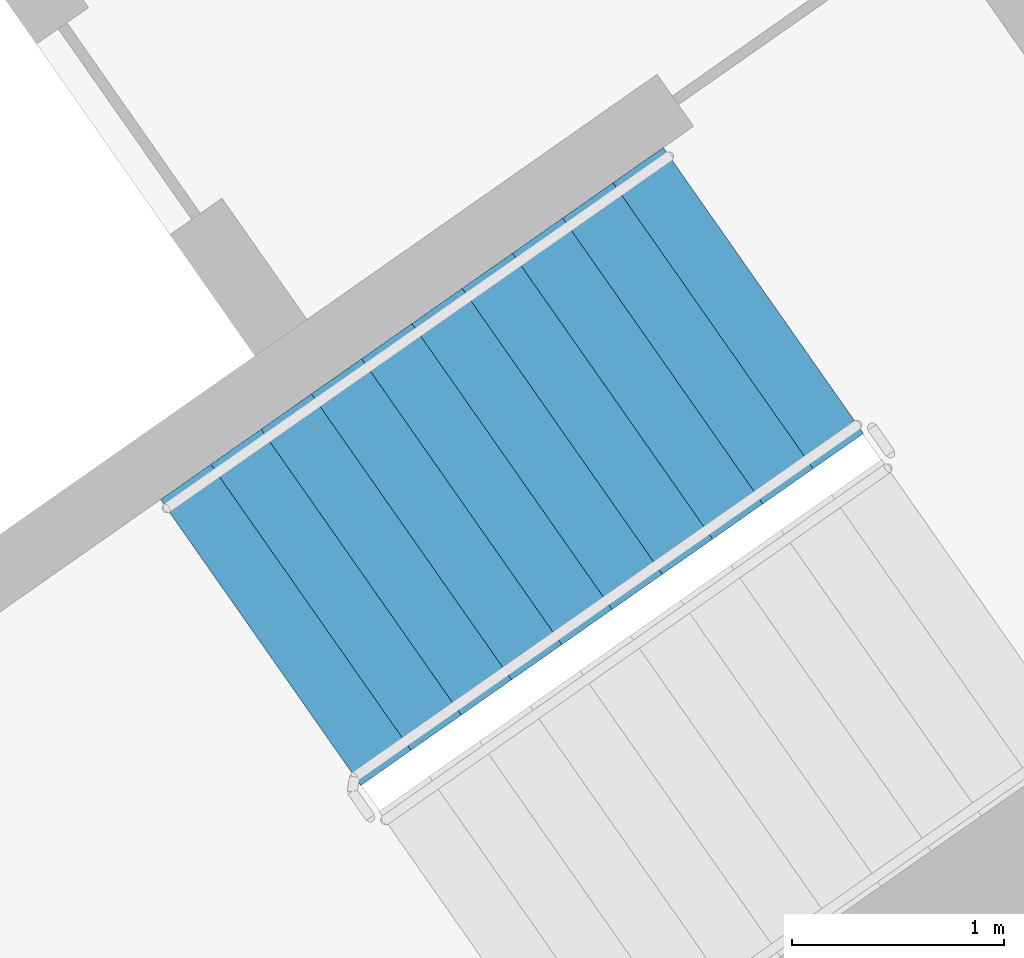
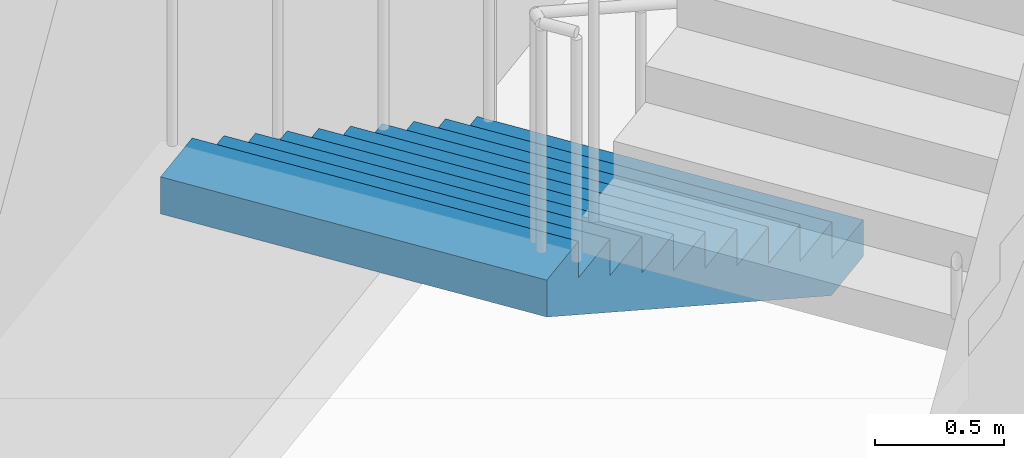
# One storey, part 13 of 26: 1 stair flight, 1 element without a shape of its own.
"""IFC4 building model written with IfcOpenShell, lengths in metres."""

from ifc_helpers import new_model, si_unit, direction, frame, origin, place, context, subcontext, project, spatial, faceted_brep, material, type_object, element, aggregate, save


model = new_model("IFC4")

# Units and contexts
model_context = context("Model", 3, precision=1e-05, world=origin(), true_north=direction((0.0, 1.0)))
body_context = subcontext(model_context, "Body", "Model", "MODEL_VIEW")
ifc_project = project(units=[si_unit("LENGTHUNIT", "METRE"), si_unit("AREAUNIT", "SQUARE_METRE"), si_unit("VOLUMEUNIT", "CUBIC_METRE"), si_unit("PLANEANGLEUNIT", "RADIAN"), si_unit("MASSUNIT", "GRAM", prefix="KILO")], contexts=[model_context])

# Site, building, storey
site_placement = place(None, origin())
site = spatial("IfcSite", under=ifc_project, at=site_placement, CompositionType="ELEMENT")
building_placement = place(site_placement, origin())
building = spatial("IfcBuilding", under=site, at=building_placement, Name="Qamariyya Broadcast Tower", CompositionType="ELEMENT")
storey_placement = place(building_placement, frame((0.0, 0.0, 168.300048828125)))
storey = spatial("IfcBuildingStorey", under=building, at=storey_placement, Name="L39", CompositionType="ELEMENT", Elevation=168.300048828125)

# Stair, stair flight
ifc_material = material(Name="Concrete C50/60", Category="concrete")
stair_type = type_object("IfcStairType", Name="Exit stair 22 risers of 173 mm", PredefinedType="HALF_TURN_STAIR", material=ifc_material)
stair_placement = place(storey_placement, origin())
stair = element("IfcStair", 1, at=stair_placement, inside=storey, type_object=stair_type, Name="L39 Stair E1", PredefinedType="HALF_TURN_STAIR")
stair_flight_type = type_object("IfcStairFlightType", Name="Exit stair flight 11 risers of 173 mm", PredefinedType="STRAIGHT", material=ifc_material)
stair_flight_placement = place(storey_placement, frame((46.036376953125, -55.508056640625, 0.0), z_axis=(0.0, 0.0, 1.0), x_axis=(-0.819152044289, -0.573576436351, 0.0)))
stair_flight = element("IfcStairFlight", 2, at=stair_flight_placement, type_object=stair_flight_type, Name="ST-E1 flight 1", NumberOfRisers=11, NumberOfTreads=10, PredefinedType="STRAIGHT", RiserHeight=0.172727273, TreadLength=0.29, context=body_context, shape_type="Brep", body=[
    faceted_brep([(0.0, 0.824951171875, 0.0), (0.0, 0.824951171875, 0.172607421875), (0.2900390625, 0.824951171875, 0.172607421875), (0.2900390625, 0.824951171875, 0.345458984375), (0.580078125, 0.824951171875, 0.345458984375), (0.580078125, 0.824951171875, 0.51806640625), (0.8701171875, 0.824951171875, 0.51806640625), (0.8701171875, 0.824951171875, 0.69091796875), (1.159912109375, 0.824951171875, 0.69091796875), (1.159912109375, 0.824951171875, 0.863525390625), (1.449951171875, 0.824951171875, 0.863525390625), (1.449951171875, 0.824951171875, 1.036376953125), (1.739990234375, 0.824951171875, 1.036376953125), (1.739990234375, 0.824951171875, 1.208984375), (2.030029296875, 0.824951171875, 1.208984375), (2.030029296875, 0.824951171875, 1.3818359375), (2.320068359375, 0.824951171875, 1.3818359375), (2.320068359375, 0.824951171875, 1.554443359375), (2.610107421875, 0.824951171875, 1.554443359375), (2.610107421875, 0.824951171875, 1.727294921875), (2.89990234375, 0.824951171875, 1.727294921875), (2.89990234375, 0.824951171875, 1.552734375), (0.29296875, 0.824951171875, 0.0), (0.29296875, -0.824951171875, 0.0), (2.89990234375, -0.824951171875, 1.552734375), (2.89990234375, -0.824951171875, 1.727294921875), (2.610107421875, -0.824951171875, 1.727294921875), (2.610107421875, -0.824951171875, 1.554443359375), (2.320068359375, -0.824951171875, 1.554443359375), (2.320068359375, -0.824951171875, 1.3818359375), (2.030029296875, -0.824951171875, 1.3818359375), (2.030029296875, -0.824951171875, 1.208984375), (1.739990234375, -0.824951171875, 1.208984375), (1.739990234375, -0.824951171875, 1.036376953125), (1.449951171875, -0.824951171875, 1.036376953125), (1.449951171875, -0.824951171875, 0.863525390625), (1.159912109375, -0.824951171875, 0.863525390625), (1.159912109375, -0.824951171875, 0.69091796875), (0.8701171875, -0.824951171875, 0.69091796875), (0.8701171875, -0.824951171875, 0.51806640625), (0.580078125, -0.824951171875, 0.51806640625), (0.580078125, -0.824951171875, 0.345458984375), (0.2900390625, -0.824951171875, 0.345458984375), (0.2900390625, -0.824951171875, 0.172607421875), (0.0, -0.824951171875, 0.172607421875), (0.0, -0.824951171875, 0.0), (0.0, 0.10009765625, 0.0), (0.0, 0.086669921875, 0.0), (0.0, 0.0732421875, 0.0), (0.0, 0.06005859375, 0.0), (0.0, 0.046630859375, 0.0), (0.0, 0.033447265625, 0.0), (0.0, 0.02001953125, 0.0), (0.0, 0.006591796875, 0.0), (0.0, -0.006591796875, 0.0), (0.0, -0.02001953125, 0.0), (0.0, -0.033447265625, 0.0), (0.0, -0.046630859375, 0.0), (0.0, -0.06005859375, 0.0), (0.0, -0.0732421875, 0.0), (0.0, -0.086669921875, 0.0), (0.0, -0.10009765625, 0.0), (0.0, -0.10009765625, 0.172607421875), (0.0, -0.086669921875, 0.172607421875), (0.0, -0.0732421875, 0.172607421875), (0.0, -0.06005859375, 0.172607421875), (0.0, -0.046630859375, 0.172607421875), (0.0, -0.033447265625, 0.172607421875), (0.0, -0.02001953125, 0.172607421875), (0.0, -0.006591796875, 0.172607421875), (0.0, 0.006591796875, 0.172607421875), (0.0, 0.02001953125, 0.172607421875), (0.0, 0.033447265625, 0.172607421875), (0.0, 0.046630859375, 0.172607421875), (0.0, 0.06005859375, 0.172607421875), (0.0, 0.0732421875, 0.172607421875), (0.0, 0.086669921875, 0.172607421875), (0.0, 0.10009765625, 0.172607421875), (0.2900390625, -0.10009765625, 0.172607421875), (0.2900390625, -0.086669921875, 0.172607421875), (0.2900390625, -0.0732421875, 0.172607421875), (0.2900390625, -0.06005859375, 0.172607421875), (0.2900390625, -0.046630859375, 0.172607421875), (0.2900390625, -0.033447265625, 0.172607421875), (0.2900390625, -0.02001953125, 0.172607421875), (0.2900390625, -0.006591796875, 0.172607421875), (0.2900390625, 0.006591796875, 0.172607421875), (0.2900390625, 0.02001953125, 0.172607421875), (0.2900390625, 0.033447265625, 0.172607421875), (0.2900390625, 0.046630859375, 0.172607421875), (0.2900390625, 0.06005859375, 0.172607421875), (0.2900390625, 0.0732421875, 0.172607421875), (0.2900390625, 0.086669921875, 0.172607421875), (0.2900390625, 0.10009765625, 0.172607421875), (0.2900390625, -0.10009765625, 0.345458984375), (0.2900390625, -0.086669921875, 0.345458984375), (0.2900390625, -0.0732421875, 0.345458984375), (0.2900390625, -0.06005859375, 0.345458984375), (0.2900390625, -0.046630859375, 0.345458984375), (0.2900390625, -0.033447265625, 0.345458984375), (0.2900390625, -0.02001953125, 0.345458984375), (0.2900390625, -0.006591796875, 0.345458984375), (0.2900390625, 0.006591796875, 0.345458984375), (0.2900390625, 0.02001953125, 0.345458984375), (0.2900390625, 0.033447265625, 0.345458984375), (0.2900390625, 0.046630859375, 0.345458984375), (0.2900390625, 0.06005859375, 0.345458984375), (0.2900390625, 0.0732421875, 0.345458984375), (0.2900390625, 0.086669921875, 0.345458984375), (0.2900390625, 0.10009765625, 0.345458984375), (0.580078125, -0.10009765625, 0.345458984375), (0.580078125, -0.086669921875, 0.345458984375), (0.580078125, -0.0732421875, 0.345458984375), (0.580078125, -0.06005859375, 0.345458984375), (0.580078125, -0.046630859375, 0.345458984375), (0.580078125, -0.033447265625, 0.345458984375), (0.580078125, -0.02001953125, 0.345458984375), (0.580078125, -0.006591796875, 0.345458984375), (0.580078125, 0.006591796875, 0.345458984375), (0.580078125, 0.02001953125, 0.345458984375), (0.580078125, 0.033447265625, 0.345458984375), (0.580078125, 0.046630859375, 0.345458984375), (0.580078125, 0.06005859375, 0.345458984375), (0.580078125, 0.0732421875, 0.345458984375), (0.580078125, 0.086669921875, 0.345458984375), (0.580078125, 0.10009765625, 0.345458984375), (0.580078125, -0.10009765625, 0.51806640625), (0.580078125, -0.086669921875, 0.51806640625), (0.580078125, -0.0732421875, 0.51806640625), (0.580078125, -0.06005859375, 0.51806640625), (0.580078125, -0.046630859375, 0.51806640625), (0.580078125, -0.033447265625, 0.51806640625), (0.580078125, -0.02001953125, 0.51806640625), (0.580078125, -0.006591796875, 0.51806640625), (0.580078125, 0.006591796875, 0.51806640625), (0.580078125, 0.02001953125, 0.51806640625), (0.580078125, 0.033447265625, 0.51806640625), (0.580078125, 0.046630859375, 0.51806640625), (0.580078125, 0.06005859375, 0.51806640625), (0.580078125, 0.0732421875, 0.51806640625), (0.580078125, 0.086669921875, 0.51806640625), (0.580078125, 0.10009765625, 0.51806640625), (0.8701171875, -0.10009765625, 0.51806640625), (0.8701171875, -0.086669921875, 0.51806640625), (0.8701171875, -0.0732421875, 0.51806640625), (0.8701171875, -0.06005859375, 0.51806640625), (0.8701171875, -0.046630859375, 0.51806640625), (0.8701171875, -0.033447265625, 0.51806640625), (0.8701171875, -0.02001953125, 0.51806640625), (0.8701171875, -0.006591796875, 0.51806640625), (0.8701171875, 0.006591796875, 0.51806640625), (0.8701171875, 0.02001953125, 0.51806640625), (0.8701171875, 0.033447265625, 0.51806640625), (0.8701171875, 0.046630859375, 0.51806640625), (0.8701171875, 0.06005859375, 0.51806640625), (0.8701171875, 0.0732421875, 0.51806640625), (0.8701171875, 0.086669921875, 0.51806640625), (0.8701171875, 0.10009765625, 0.51806640625), (0.8701171875, -0.10009765625, 0.69091796875), (0.8701171875, -0.086669921875, 0.69091796875), (0.8701171875, -0.0732421875, 0.69091796875), (0.8701171875, -0.06005859375, 0.69091796875), (0.8701171875, -0.046630859375, 0.69091796875), (0.8701171875, -0.033447265625, 0.69091796875), (0.8701171875, -0.02001953125, 0.69091796875), (0.8701171875, -0.006591796875, 0.69091796875), (0.8701171875, 0.006591796875, 0.69091796875), (0.8701171875, 0.02001953125, 0.69091796875), (0.8701171875, 0.033447265625, 0.69091796875), (0.8701171875, 0.046630859375, 0.69091796875), (0.8701171875, 0.06005859375, 0.69091796875), (0.8701171875, 0.0732421875, 0.69091796875), (0.8701171875, 0.086669921875, 0.69091796875), (0.8701171875, 0.10009765625, 0.69091796875), (1.159912109375, -0.10009765625, 0.69091796875), (1.159912109375, -0.086669921875, 0.69091796875), (1.159912109375, -0.0732421875, 0.69091796875), (1.159912109375, -0.06005859375, 0.69091796875), (1.159912109375, -0.046630859375, 0.69091796875), (1.159912109375, -0.033447265625, 0.69091796875), (1.159912109375, -0.02001953125, 0.69091796875), (1.159912109375, -0.006591796875, 0.69091796875), (1.159912109375, 0.006591796875, 0.69091796875), (1.159912109375, 0.02001953125, 0.69091796875), (1.159912109375, 0.033447265625, 0.69091796875), (1.159912109375, 0.046630859375, 0.69091796875), (1.159912109375, 0.06005859375, 0.69091796875), (1.159912109375, 0.0732421875, 0.69091796875), (1.159912109375, 0.086669921875, 0.69091796875), (1.159912109375, 0.10009765625, 0.69091796875), (1.159912109375, -0.10009765625, 0.863525390625), (1.159912109375, -0.086669921875, 0.863525390625), (1.159912109375, -0.0732421875, 0.863525390625), (1.159912109375, -0.06005859375, 0.863525390625), (1.159912109375, -0.046630859375, 0.863525390625), (1.159912109375, -0.033447265625, 0.863525390625), (1.159912109375, -0.02001953125, 0.863525390625), (1.159912109375, -0.006591796875, 0.863525390625), (1.159912109375, 0.006591796875, 0.863525390625), (1.159912109375, 0.02001953125, 0.863525390625), (1.159912109375, 0.033447265625, 0.863525390625), (1.159912109375, 0.046630859375, 0.863525390625), (1.159912109375, 0.06005859375, 0.863525390625), (1.159912109375, 0.0732421875, 0.863525390625), (1.159912109375, 0.086669921875, 0.863525390625), (1.159912109375, 0.10009765625, 0.863525390625), (1.449951171875, -0.10009765625, 0.863525390625), (1.449951171875, -0.086669921875, 0.863525390625), (1.449951171875, -0.0732421875, 0.863525390625), (1.449951171875, -0.06005859375, 0.863525390625), (1.449951171875, -0.046630859375, 0.863525390625), (1.449951171875, -0.033447265625, 0.863525390625), (1.449951171875, -0.02001953125, 0.863525390625), (1.449951171875, -0.006591796875, 0.863525390625), (1.449951171875, 0.006591796875, 0.863525390625), (1.449951171875, 0.02001953125, 0.863525390625), (1.449951171875, 0.033447265625, 0.863525390625), (1.449951171875, 0.046630859375, 0.863525390625), (1.449951171875, 0.06005859375, 0.863525390625), (1.449951171875, 0.0732421875, 0.863525390625), (1.449951171875, 0.086669921875, 0.863525390625), (1.449951171875, 0.10009765625, 0.863525390625), (1.449951171875, -0.10009765625, 1.036376953125), (1.449951171875, -0.086669921875, 1.036376953125), (1.449951171875, -0.0732421875, 1.036376953125), (1.449951171875, -0.06005859375, 1.036376953125), (1.449951171875, -0.046630859375, 1.036376953125), (1.449951171875, -0.033447265625, 1.036376953125), (1.449951171875, -0.02001953125, 1.036376953125), (1.449951171875, -0.006591796875, 1.036376953125), (1.449951171875, 0.006591796875, 1.036376953125), (1.449951171875, 0.02001953125, 1.036376953125), (1.449951171875, 0.033447265625, 1.036376953125), (1.449951171875, 0.046630859375, 1.036376953125), (1.449951171875, 0.06005859375, 1.036376953125), (1.449951171875, 0.0732421875, 1.036376953125), (1.449951171875, 0.086669921875, 1.036376953125), (1.449951171875, 0.10009765625, 1.036376953125), (1.739990234375, -0.10009765625, 1.036376953125), (1.739990234375, -0.086669921875, 1.036376953125), (1.739990234375, -0.0732421875, 1.036376953125), (1.739990234375, -0.06005859375, 1.036376953125), (1.739990234375, -0.046630859375, 1.036376953125), (1.739990234375, -0.033447265625, 1.036376953125), (1.739990234375, -0.02001953125, 1.036376953125), (1.739990234375, -0.006591796875, 1.036376953125), (1.739990234375, 0.006591796875, 1.036376953125), (1.739990234375, 0.02001953125, 1.036376953125), (1.739990234375, 0.033447265625, 1.036376953125), (1.739990234375, 0.046630859375, 1.036376953125), (1.739990234375, 0.06005859375, 1.036376953125), (1.739990234375, 0.0732421875, 1.036376953125), (1.739990234375, 0.086669921875, 1.036376953125), (1.739990234375, 0.10009765625, 1.036376953125), (1.739990234375, -0.10009765625, 1.208984375), (1.739990234375, -0.086669921875, 1.208984375), (1.739990234375, -0.0732421875, 1.208984375), (1.739990234375, -0.06005859375, 1.208984375), (1.739990234375, -0.046630859375, 1.208984375), (1.739990234375, -0.033447265625, 1.208984375), (1.739990234375, -0.02001953125, 1.208984375), (1.739990234375, -0.006591796875, 1.208984375), (1.739990234375, 0.006591796875, 1.208984375), (1.739990234375, 0.02001953125, 1.208984375), (1.739990234375, 0.033447265625, 1.208984375), (1.739990234375, 0.046630859375, 1.208984375), (1.739990234375, 0.06005859375, 1.208984375), (1.739990234375, 0.0732421875, 1.208984375), (1.739990234375, 0.086669921875, 1.208984375), (1.739990234375, 0.10009765625, 1.208984375), (2.030029296875, -0.10009765625, 1.208984375), (2.030029296875, -0.086669921875, 1.208984375), (2.030029296875, -0.0732421875, 1.208984375), (2.030029296875, -0.06005859375, 1.208984375), (2.030029296875, -0.046630859375, 1.208984375), (2.030029296875, -0.033447265625, 1.208984375), (2.030029296875, -0.02001953125, 1.208984375), (2.030029296875, -0.006591796875, 1.208984375), (2.030029296875, 0.006591796875, 1.208984375), (2.030029296875, 0.02001953125, 1.208984375), (2.030029296875, 0.033447265625, 1.208984375), (2.030029296875, 0.046630859375, 1.208984375), (2.030029296875, 0.06005859375, 1.208984375), (2.030029296875, 0.0732421875, 1.208984375), (2.030029296875, 0.086669921875, 1.208984375), (2.030029296875, 0.10009765625, 1.208984375), (2.030029296875, -0.10009765625, 1.3818359375), (2.030029296875, -0.086669921875, 1.3818359375), (2.030029296875, -0.0732421875, 1.3818359375), (2.030029296875, -0.06005859375, 1.3818359375), (2.030029296875, -0.046630859375, 1.3818359375), (2.030029296875, -0.033447265625, 1.3818359375), (2.030029296875, -0.02001953125, 1.3818359375), (2.030029296875, -0.006591796875, 1.3818359375), (2.030029296875, 0.006591796875, 1.3818359375), (2.030029296875, 0.02001953125, 1.3818359375), (2.030029296875, 0.033447265625, 1.3818359375), (2.030029296875, 0.046630859375, 1.3818359375), (2.030029296875, 0.06005859375, 1.3818359375), (2.030029296875, 0.0732421875, 1.3818359375), (2.030029296875, 0.086669921875, 1.3818359375), (2.030029296875, 0.10009765625, 1.3818359375), (2.320068359375, -0.10009765625, 1.3818359375), (2.320068359375, -0.086669921875, 1.3818359375), (2.320068359375, -0.0732421875, 1.3818359375), (2.320068359375, -0.06005859375, 1.3818359375), (2.320068359375, -0.046630859375, 1.3818359375), (2.320068359375, -0.033447265625, 1.3818359375), (2.320068359375, -0.02001953125, 1.3818359375), (2.320068359375, -0.006591796875, 1.3818359375), (2.320068359375, 0.006591796875, 1.3818359375), (2.320068359375, 0.02001953125, 1.3818359375), (2.320068359375, 0.033447265625, 1.3818359375), (2.320068359375, 0.046630859375, 1.3818359375), (2.320068359375, 0.06005859375, 1.3818359375), (2.320068359375, 0.0732421875, 1.3818359375), (2.320068359375, 0.086669921875, 1.3818359375), (2.320068359375, 0.10009765625, 1.3818359375), (2.320068359375, -0.10009765625, 1.554443359375), (2.320068359375, -0.086669921875, 1.554443359375), (2.320068359375, -0.0732421875, 1.554443359375), (2.320068359375, -0.06005859375, 1.554443359375), (2.320068359375, -0.046630859375, 1.554443359375), (2.320068359375, -0.033447265625, 1.554443359375), (2.320068359375, -0.02001953125, 1.554443359375), (2.320068359375, -0.006591796875, 1.554443359375), (2.320068359375, 0.006591796875, 1.554443359375), (2.320068359375, 0.02001953125, 1.554443359375), (2.320068359375, 0.033447265625, 1.554443359375), (2.320068359375, 0.046630859375, 1.554443359375), (2.320068359375, 0.06005859375, 1.554443359375), (2.320068359375, 0.0732421875, 1.554443359375), (2.320068359375, 0.086669921875, 1.554443359375), (2.320068359375, 0.10009765625, 1.554443359375), (2.610107421875, -0.10009765625, 1.554443359375), (2.610107421875, -0.086669921875, 1.554443359375), (2.610107421875, -0.0732421875, 1.554443359375), (2.610107421875, -0.06005859375, 1.554443359375), (2.610107421875, -0.046630859375, 1.554443359375), (2.610107421875, -0.033447265625, 1.554443359375), (2.610107421875, -0.02001953125, 1.554443359375), (2.610107421875, -0.006591796875, 1.554443359375), (2.610107421875, 0.006591796875, 1.554443359375), (2.610107421875, 0.02001953125, 1.554443359375), (2.610107421875, 0.033447265625, 1.554443359375), (2.610107421875, 0.046630859375, 1.554443359375), (2.610107421875, 0.06005859375, 1.554443359375), (2.610107421875, 0.0732421875, 1.554443359375), (2.610107421875, 0.086669921875, 1.554443359375), (2.610107421875, 0.10009765625, 1.554443359375), (2.610107421875, -0.10009765625, 1.727294921875), (2.610107421875, -0.086669921875, 1.727294921875), (2.610107421875, -0.0732421875, 1.727294921875), (2.610107421875, -0.06005859375, 1.727294921875), (2.610107421875, -0.046630859375, 1.727294921875), (2.610107421875, -0.033447265625, 1.727294921875), (2.610107421875, -0.02001953125, 1.727294921875), (2.610107421875, -0.006591796875, 1.727294921875), (2.610107421875, 0.006591796875, 1.727294921875), (2.610107421875, 0.02001953125, 1.727294921875), (2.610107421875, 0.033447265625, 1.727294921875), (2.610107421875, 0.046630859375, 1.727294921875), (2.610107421875, 0.06005859375, 1.727294921875), (2.610107421875, 0.0732421875, 1.727294921875), (2.610107421875, 0.086669921875, 1.727294921875), (2.610107421875, 0.10009765625, 1.727294921875), (2.89990234375, -0.10009765625, 1.727294921875), (2.89990234375, -0.086669921875, 1.727294921875), (2.89990234375, -0.0732421875, 1.727294921875), (2.89990234375, -0.06005859375, 1.727294921875), (2.89990234375, -0.046630859375, 1.727294921875), (2.89990234375, -0.033447265625, 1.727294921875), (2.89990234375, -0.02001953125, 1.727294921875), (2.89990234375, -0.006591796875, 1.727294921875), (2.89990234375, 0.006591796875, 1.727294921875), (2.89990234375, 0.02001953125, 1.727294921875), (2.89990234375, 0.033447265625, 1.727294921875), (2.89990234375, 0.046630859375, 1.727294921875), (2.89990234375, 0.06005859375, 1.727294921875), (2.89990234375, 0.0732421875, 1.727294921875), (2.89990234375, 0.086669921875, 1.727294921875), (2.89990234375, 0.10009765625, 1.727294921875), (2.89990234375, -0.10009765625, 1.552734375), (2.89990234375, -0.086669921875, 1.552734375), (2.89990234375, -0.0732421875, 1.552734375), (2.89990234375, -0.06005859375, 1.552734375), (2.89990234375, -0.046630859375, 1.552734375), (2.89990234375, -0.033447265625, 1.552734375), (2.89990234375, -0.02001953125, 1.552734375), (2.89990234375, -0.006591796875, 1.552734375), (2.89990234375, 0.006591796875, 1.552734375), (2.89990234375, 0.02001953125, 1.552734375), (2.89990234375, 0.033447265625, 1.552734375), (2.89990234375, 0.046630859375, 1.552734375), (2.89990234375, 0.06005859375, 1.552734375), (2.89990234375, 0.0732421875, 1.552734375), (2.89990234375, 0.086669921875, 1.552734375), (2.89990234375, 0.10009765625, 1.552734375), (0.29296875, -0.10009765625, 0.0), (0.29296875, -0.086669921875, 0.0), (0.29296875, -0.0732421875, 0.0), (0.29296875, -0.06005859375, 0.0), (0.29296875, -0.046630859375, 0.0), (0.29296875, -0.033447265625, 0.0), (0.29296875, -0.02001953125, 0.0), (0.29296875, -0.006591796875, 0.0), (0.29296875, 0.006591796875, 0.0), (0.29296875, 0.02001953125, 0.0), (0.29296875, 0.033447265625, 0.0), (0.29296875, 0.046630859375, 0.0), (0.29296875, 0.06005859375, 0.0), (0.29296875, 0.0732421875, 0.0), (0.29296875, 0.086669921875, 0.0), (0.29296875, 0.10009765625, 0.0)], [[[0, 1, 2, 3, 4, 5, 6, 7, 8, 9, 10, 11, 12, 13, 14, 15, 16, 17, 18, 19, 20, 21, 22]], [[23, 24, 25, 26, 27, 28, 29, 30, 31, 32, 33, 34, 35, 36, 37, 38, 39, 40, 41, 42, 43, 44, 45]], [[0, 46, 47, 48, 49, 50, 51, 52, 53, 54, 55, 56, 57, 58, 59, 60, 61, 45, 44, 62, 63, 64, 65, 66, 67, 68, 69, 70, 71, 72, 73, 74, 75, 76, 77, 1]], [[1, 77, 76, 75, 74, 73, 72, 71, 70, 69, 68, 67, 66, 65, 64, 63, 62, 44, 43, 78, 79, 80, 81, 82, 83, 84, 85, 86, 87, 88, 89, 90, 91, 92, 93, 2]], [[2, 93, 92, 91, 90, 89, 88, 87, 86, 85, 84, 83, 82, 81, 80, 79, 78, 43, 42, 94, 95, 96, 97, 98, 99, 100, 101, 102, 103, 104, 105, 106, 107, 108, 109, 3]], [[3, 109, 108, 107, 106, 105, 104, 103, 102, 101, 100, 99, 98, 97, 96, 95, 94, 42, 41, 110, 111, 112, 113, 114, 115, 116, 117, 118, 119, 120, 121, 122, 123, 124, 125, 4]], [[4, 125, 124, 123, 122, 121, 120, 119, 118, 117, 116, 115, 114, 113, 112, 111, 110, 41, 40, 126, 127, 128, 129, 130, 131, 132, 133, 134, 135, 136, 137, 138, 139, 140, 141, 5]], [[5, 141, 140, 139, 138, 137, 136, 135, 134, 133, 132, 131, 130, 129, 128, 127, 126, 40, 39, 142, 143, 144, 145, 146, 147, 148, 149, 150, 151, 152, 153, 154, 155, 156, 157, 6]], [[6, 157, 156, 155, 154, 153, 152, 151, 150, 149, 148, 147, 146, 145, 144, 143, 142, 39, 38, 158, 159, 160, 161, 162, 163, 164, 165, 166, 167, 168, 169, 170, 171, 172, 173, 7]], [[7, 173, 172, 171, 170, 169, 168, 167, 166, 165, 164, 163, 162, 161, 160, 159, 158, 38, 37, 174, 175, 176, 177, 178, 179, 180, 181, 182, 183, 184, 185, 186, 187, 188, 189, 8]], [[8, 189, 188, 187, 186, 185, 184, 183, 182, 181, 180, 179, 178, 177, 176, 175, 174, 37, 36, 190, 191, 192, 193, 194, 195, 196, 197, 198, 199, 200, 201, 202, 203, 204, 205, 9]], [[9, 205, 204, 203, 202, 201, 200, 199, 198, 197, 196, 195, 194, 193, 192, 191, 190, 36, 35, 206, 207, 208, 209, 210, 211, 212, 213, 214, 215, 216, 217, 218, 219, 220, 221, 10]], [[10, 221, 220, 219, 218, 217, 216, 215, 214, 213, 212, 211, 210, 209, 208, 207, 206, 35, 34, 222, 223, 224, 225, 226, 227, 228, 229, 230, 231, 232, 233, 234, 235, 236, 237, 11]], [[11, 237, 236, 235, 234, 233, 232, 231, 230, 229, 228, 227, 226, 225, 224, 223, 222, 34, 33, 238, 239, 240, 241, 242, 243, 244, 245, 246, 247, 248, 249, 250, 251, 252, 253, 12]], [[12, 253, 252, 251, 250, 249, 248, 247, 246, 245, 244, 243, 242, 241, 240, 239, 238, 33, 32, 254, 255, 256, 257, 258, 259, 260, 261, 262, 263, 264, 265, 266, 267, 268, 269, 13]], [[13, 269, 268, 267, 266, 265, 264, 263, 262, 261, 260, 259, 258, 257, 256, 255, 254, 32, 31, 270, 271, 272, 273, 274, 275, 276, 277, 278, 279, 280, 281, 282, 283, 284, 285, 14]], [[14, 285, 284, 283, 282, 281, 280, 279, 278, 277, 276, 275, 274, 273, 272, 271, 270, 31, 30, 286, 287, 288, 289, 290, 291, 292, 293, 294, 295, 296, 297, 298, 299, 300, 301, 15]], [[15, 301, 300, 299, 298, 297, 296, 295, 294, 293, 292, 291, 290, 289, 288, 287, 286, 30, 29, 302, 303, 304, 305, 306, 307, 308, 309, 310, 311, 312, 313, 314, 315, 316, 317, 16]], [[16, 317, 316, 315, 314, 313, 312, 311, 310, 309, 308, 307, 306, 305, 304, 303, 302, 29, 28, 318, 319, 320, 321, 322, 323, 324, 325, 326, 327, 328, 329, 330, 331, 332, 333, 17]], [[17, 333, 332, 331, 330, 329, 328, 327, 326, 325, 324, 323, 322, 321, 320, 319, 318, 28, 27, 334, 335, 336, 337, 338, 339, 340, 341, 342, 343, 344, 345, 346, 347, 348, 349, 18]], [[18, 349, 348, 347, 346, 345, 344, 343, 342, 341, 340, 339, 338, 337, 336, 335, 334, 27, 26, 350, 351, 352, 353, 354, 355, 356, 357, 358, 359, 360, 361, 362, 363, 364, 365, 19]], [[19, 365, 364, 363, 362, 361, 360, 359, 358, 357, 356, 355, 354, 353, 352, 351, 350, 26, 25, 366, 367, 368, 369, 370, 371, 372, 373, 374, 375, 376, 377, 378, 379, 380, 381, 20]], [[20, 381, 380, 379, 378, 377, 376, 375, 374, 373, 372, 371, 370, 369, 368, 367, 366, 25, 24, 382, 383, 384, 385, 386, 387, 388, 389, 390, 391, 392, 393, 394, 395, 396, 397, 21]], [[21, 397, 396, 395, 394, 393, 392, 391, 390, 389, 388, 387, 386, 385, 384, 383, 382, 24, 23, 398, 399, 400, 401, 402, 403, 404, 405, 406, 407, 408, 409, 410, 411, 412, 413, 22]], [[22, 413, 412, 411, 410, 409, 408, 407, 406, 405, 404, 403, 402, 401, 400, 399, 398, 23, 45, 61, 60, 59, 58, 57, 56, 55, 54, 53, 52, 51, 50, 49, 48, 47, 46, 0]]]),
])
aggregate(stair, [stair_flight])

save(model, "model.ifc")
